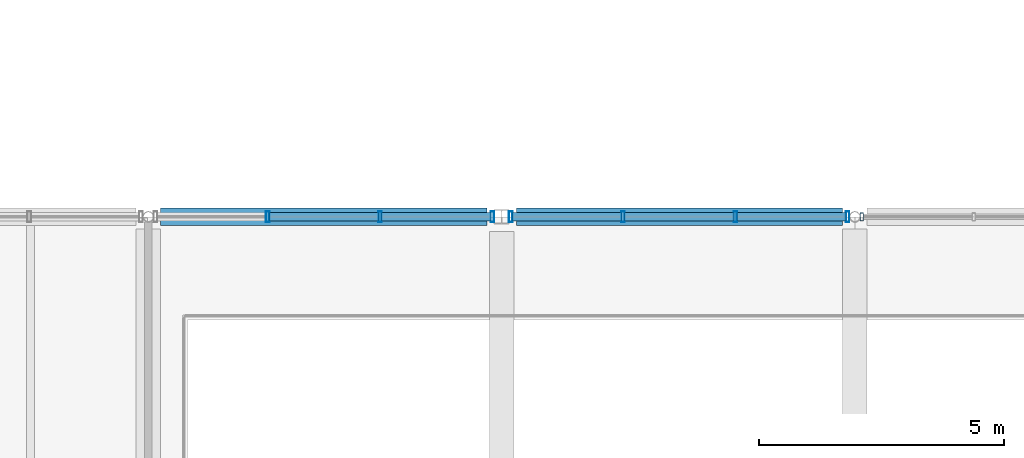
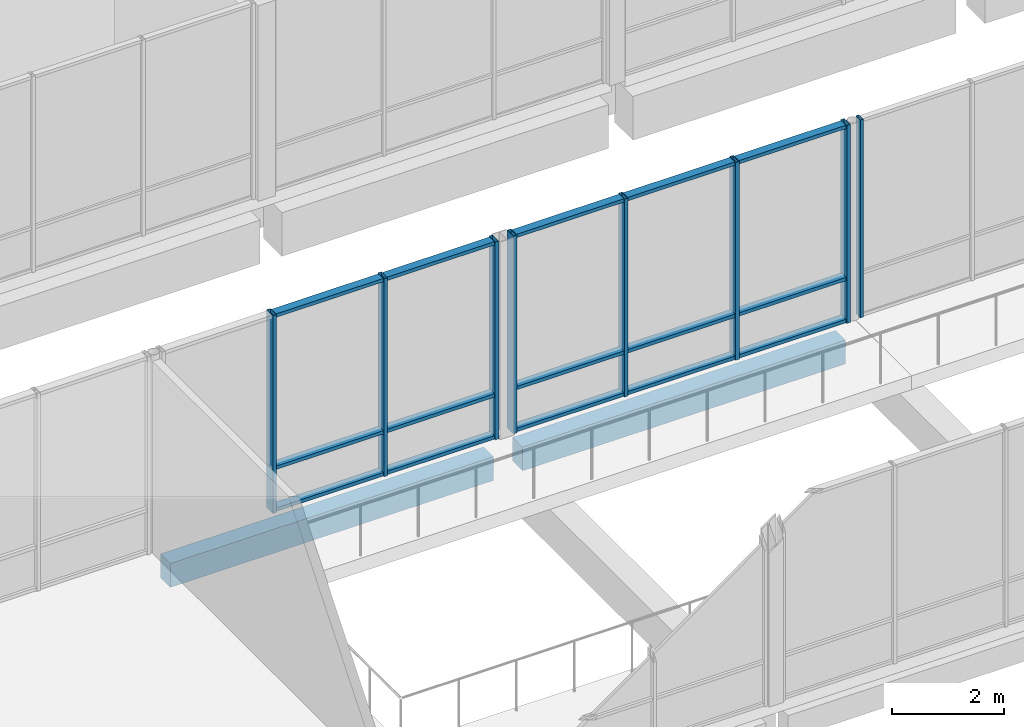
# One storey, part 45 of 146: 23 members, 2 beams, 3 elements without a shape of their own.
"""IFC4 building model written with IfcOpenShell, lengths in metres."""

import ifcopenshell
import ifcopenshell.guid

model = None  # the IFC model being written
_history = None  # IfcOwnerHistory: only IFC2X3 demands one
_inside = {}  # id of a spatial element -> (the spatial element, [elements in it])
_under = {}  # id of a project, library or spatial element -> (it, [spatial elements below it])
_declared = {}  # id of a project -> (the project, [libraries it declares])
_typed = {}  # id of a type object -> (the type object, [elements of that type])
_made_of = {}  # id of a material, layer set ... -> (it, [elements and type objects made of it])


def new_model(schema):
    """Start an empty IFC model of exactly this schema.

    Asked for "IFC4X3", IfcOpenShell would pick the latest addendum, in which some entities
    have other attributes; the version numbers below select the first issue.
    IFC2X3 requires an IfcOwnerHistory on every rooted entity: one is made here for all.
    """
    global model, _history
    if schema == "IFC4X3":
        model = ifcopenshell.file(schema_version=(4, 3, 0, 0))
    else:
        model = ifcopenshell.file(schema=schema)
    _inside.clear()
    _under.clear()
    _declared.clear()
    _typed.clear()
    _made_of.clear()
    _history = None
    if model.schema == "IFC2X3":
        org = make("IfcOrganization", Name="unknown")
        user = make(
            "IfcPersonAndOrganization",
            ThePerson=make("IfcPerson", FamilyName="unknown"),
            TheOrganization=org,
        )
        app = make(
            "IfcApplication",
            ApplicationDeveloper=org,
            Version="unknown",
            ApplicationFullName="unknown",
            ApplicationIdentifier="unknown",
        )
        _history = make(
            "IfcOwnerHistory",
            OwningUser=user,
            OwningApplication=app,
            ChangeAction="ADDED",
            CreationDate=0,
        )
    return model


def make(cls, **values):
    """One entity of the class cls with the attributes given. An attribute that is None is left unset."""
    return model.create_entity(
        cls, **{name: value for name, value in values.items() if value is not None}
    )


def rooted(cls, **values):
    """An entity with a GlobalId (a new one), such as an element, a storey or a relation."""
    return make(cls, GlobalId=ifcopenshell.guid.new(), OwnerHistory=_history, **values)


def si_unit(unit_type, name, prefix=None):
    """IfcSIUnit, for example si_unit("LENGTHUNIT", "METRE", prefix="MILLI")."""
    return make("IfcSIUnit", UnitType=unit_type, Prefix=prefix, Name=name)


def assignment(units):
    """IfcUnitAssignment: the units of a project."""
    return None if units is None else make("IfcUnitAssignment", Units=units)


def point(xyz):
    """IfcCartesianPoint."""
    return None if xyz is None else make("IfcCartesianPoint", Coordinates=xyz)


def direction(xyz):
    """IfcDirection."""
    return None if xyz is None else make("IfcDirection", DirectionRatios=xyz)


def frame(location, z_axis=None, x_axis=None):
    """IfcAxis2Placement3D, a coordinate frame: its origin and axes. An axis left out is left unset."""
    return make(
        "IfcAxis2Placement3D",
        Location=point(location),
        Axis=direction(z_axis),
        RefDirection=direction(x_axis),
    )


def frame_2d(location, x_axis=None):
    """IfcAxis2Placement2D, a coordinate frame in the plane: its origin and x axis."""
    return make(
        "IfcAxis2Placement2D", Location=point(location), RefDirection=direction(x_axis)
    )


def origin():
    """The frame at (0, 0, 0) with its axes left unset."""
    return frame((0.0, 0.0, 0.0))


def origin_2d():
    """The frame at (0, 0) in the plane with its x axis left unset."""
    return frame_2d((0.0, 0.0))


def place(relative_to, where):
    """IfcLocalPlacement: puts the frame where relative to a parent placement (None: the world)."""
    return make(
        "IfcLocalPlacement", PlacementRelTo=relative_to, RelativePlacement=where
    )


def context(
    kind, dimensions, precision=None, world=None, true_north=None, identifier=None
):
    """IfcGeometricRepresentationContext, for example the 3D "Model" context."""
    return make(
        "IfcGeometricRepresentationContext",
        ContextIdentifier=identifier,
        ContextType=kind,
        CoordinateSpaceDimension=dimensions,
        Precision=precision,
        WorldCoordinateSystem=world,
        TrueNorth=true_north,
    )


def subcontext(parent, identifier, kind, view, scale=None):
    """IfcGeometricRepresentationSubContext, for example "Body" below "Model"."""
    return make(
        "IfcGeometricRepresentationSubContext",
        ContextIdentifier=identifier,
        ContextType=kind,
        ParentContext=parent,
        TargetScale=scale,
        TargetView=view,
    )


def project(units=None, contexts=None):
    """IfcProject with its units and contexts."""
    return rooted(
        "IfcProject",
        Name="project",
        RepresentationContexts=contexts,
        UnitsInContext=assignment(units),
    )


def spatial(cls, under=None, at=None, **own):
    """A site, building, storey or space (cls), placed at a placement, below another one or the project."""
    s = rooted(cls, ObjectPlacement=at, **own)
    if under is not None:
        _under.setdefault(under.id(), (under, []))[1].append(s)
    return s


def profile(cls, at=None, kind="AREA", **sizes):
    """A parametric profile (cls). Its sizes go by their IFC names, for example OverallWidth=200.0."""
    return make(cls, ProfileType=kind, Position=at, **sizes)


def rectangle(**sizes):
    """IfcRectangleProfileDef."""
    return profile("IfcRectangleProfileDef", **sizes)


def hollow_rectangle(**sizes):
    """IfcRectangleHollowProfileDef."""
    return profile("IfcRectangleHollowProfileDef", **sizes)


def extrude(swept, where, along, depth):
    """IfcExtrudedAreaSolid: the profile swept, set in the frame where, extruded along a direction by depth."""
    return make(
        "IfcExtrudedAreaSolid",
        SweptArea=swept,
        Position=where,
        ExtrudedDirection=direction(along),
        Depth=depth,
    )


def shape(context_of_items, identifier, shape_type, items):
    """IfcShapeRepresentation: the items that make up one representation, for example the "Body"."""
    return make(
        "IfcShapeRepresentation",
        ContextOfItems=context_of_items,
        RepresentationIdentifier=identifier,
        RepresentationType=shape_type,
        Items=items,
    )


def material(Name=None, Category=None):
    """IfcMaterial."""
    return make("IfcMaterial", Name=Name, Category=Category)


def material_profile(
    of_material, cross_section, Name=None, Category=None, Priority=None
):
    """IfcMaterialProfile: a cross section and its material."""
    return make(
        "IfcMaterialProfile",
        Name=Name,
        Material=of_material,
        Profile=cross_section,
        Priority=Priority,
        Category=Category,
    )


def profile_set(profiles, Name=None, composite=None):
    """IfcMaterialProfileSet."""
    return make(
        "IfcMaterialProfileSet",
        Name=Name,
        MaterialProfiles=profiles,
        CompositeProfile=composite,
    )


def made_of(thing, what):
    """Note that an element or type object is made of a material, layer set ...; save() writes the relation."""
    if what is not None:
        _made_of.setdefault(what.id(), (what, []))[1].append(thing)
    return thing


def type_object(cls, material=None, **own):
    """A type object (cls), such as IfcWallType, which elements share."""
    return made_of(rooted(cls, **own), material)


def element(
    cls,
    number,
    at=None,
    inside=None,
    cuts=None,
    type_object=None,
    material=None,
    context=None,
    identifier="Body",
    shape_type=None,
    held_by="IfcProductDefinitionShape",
    body=None,
    shapes=None,
    **own,
):
    """One element of the class cls, such as IfcWall. Its Tag is "e" and its number.

    at: its placement. inside: the storey or other place that contains it. cuts: it is an
    opening in that element (IfcRelVoidsElement). A single representation is given by context,
    identifier, shape_type and body (its items); several are given by shapes. held_by: the class
    of the entity that holds the representations. save() writes the other relations.
    """
    e = rooted(cls, Tag="e%d" % number, ObjectPlacement=at, **own)
    if body is not None:
        shapes = [shape(context, identifier, shape_type, body)]
    if shapes is not None:
        e.Representation = make(held_by, Representations=shapes)
    if inside is not None:
        _inside.setdefault(inside.id(), (inside, []))[1].append(e)
    if cuts is not None:
        rooted(
            "IfcRelVoidsElement", RelatingBuildingElement=cuts, RelatedOpeningElement=e
        )
    if type_object is not None:
        _typed.setdefault(type_object.id(), (type_object, []))[1].append(e)
    return made_of(e, material)


def aggregate(whole, parts):
    """IfcRelAggregates: a whole, such as a stair, and the parts it consists of."""
    return rooted("IfcRelAggregates", RelatingObject=whole, RelatedObjects=parts)


def save(model, path):
    """Write the relations noted so far, then the file.

    IfcRelAggregates (storeys below a building ...), IfcRelContainedInSpatialStructure (elements
    in a storey), IfcRelDefinesByType, IfcRelAssociatesMaterial and IfcRelDeclares: one each for
    every whole, place, type object, material and project.
    """
    for whole, parts in _under.values():
        aggregate(whole, parts)
    for where, things in _inside.values():
        rooted(
            "IfcRelContainedInSpatialStructure",
            RelatedElements=things,
            RelatingStructure=where,
        )
    for kind, things in _typed.values():
        rooted("IfcRelDefinesByType", RelatedObjects=things, RelatingType=kind)
    for what, things in _made_of.values():
        rooted("IfcRelAssociatesMaterial", RelatedObjects=things, RelatingMaterial=what)
    for by, libraries in _declared.values():
        rooted("IfcRelDeclares", RelatingContext=by, RelatedDefinitions=libraries)
    model.write(path)


model = new_model("IFC4")

# Units and contexts
model_context = context("Model", 3, precision=1e-05, world=origin(), true_north=direction((0.0, 1.0)))
body_context = subcontext(model_context, "Body", "Model", "MODEL_VIEW")
ifc_project = project(units=[si_unit("LENGTHUNIT", "METRE"), si_unit("AREAUNIT", "SQUARE_METRE"), si_unit("VOLUMEUNIT", "CUBIC_METRE"), si_unit("PLANEANGLEUNIT", "RADIAN"), si_unit("MASSUNIT", "GRAM", prefix="KILO")], contexts=[model_context])

# Site, building, storey
site_placement = place(None, origin())
site = spatial("IfcSite", under=ifc_project, at=site_placement, CompositionType="ELEMENT")
building_placement = place(site_placement, origin())
building = spatial("IfcBuilding", under=site, at=building_placement, Name="Hawrajan Terrace Health Centre", CompositionType="ELEMENT")
storey_placement = place(building_placement, frame((0.0, 0.0, 4.5)))
storey = spatial("IfcBuildingStorey", under=building, at=storey_placement, Name="L01", CompositionType="ELEMENT", Elevation=4.5)

# Curtain wall, member
ifc_material_1 = material(Name="Anodized bronze aluminium and low-E solar glazing", Category="aluminium")
curtain_wall_type_1 = type_object("IfcCurtainWallType", Name="CW_Court_SeriesA3", PredefinedType="USERDEFINED", material=ifc_material_1)
curtain_wall_1_placement = place(storey_placement, origin())
curtain_wall_1 = element("IfcCurtainWall", 1, at=curtain_wall_1_placement, inside=storey, type_object=curtain_wall_type_1, Name="Curtain wall CW-L01-075", ObjectType="UNITISED CURTAIN WALL", PredefinedType="USERDEFINED")
ifc_material_2 = material(Name="Anodized bronze aluminium 6063-T6", Category="aluminium")
ifc_material_profile_1 = material_profile(ifc_material_2, hollow_rectangle(XDim=0.06494140625, YDim=0.159912109375, WallThickness=0.00390625, at=origin_2d()), Name="CW MUL 65x160")
ifc_profile_set_1 = profile_set([ifc_material_profile_1], Name="Anodized bronze aluminium 6063-T6")
member_type_1 = type_object("IfcMemberType", Name="CWMullion_65x160", PredefinedType="MULLION", material=ifc_profile_set_1)
member_1_placement = place(storey_placement, frame((47.94189453125, 36.800048828125, -0.0048828125), z_axis=(0.0, 0.0, 1.0), x_axis=(1.0, 0.0, 0.0)))
member_1 = element("IfcMember", 2, at=member_1_placement, type_object=member_type_1, Name="Mullion CW-L01-075-M1", PredefinedType="MULLION", context=body_context, shape_type="SweptSolid", body=[
    extrude(hollow_rectangle(XDim=0.06494140625, YDim=0.159912109375, WallThickness=0.00390625, at=origin_2d()), origin(), (0.0, 0.0, 1.0), 4.309814453125),
])
aggregate(curtain_wall_1, [member_1])

# Curtain wall, members
curtain_wall_type_2 = type_object("IfcCurtainWallType", Name="CW_Clerestory_SeriesG2", PredefinedType="USERDEFINED", material=ifc_material_1)
curtain_wall_2_placement = place(storey_placement, origin())
curtain_wall_2 = element("IfcCurtainWall", 3, at=curtain_wall_2_placement, inside=storey, type_object=curtain_wall_type_2, Name="Curtain wall CW-L01-065", ObjectType="UNITISED CURTAIN WALL", PredefinedType="USERDEFINED")
ifc_material_profile_2 = material_profile(ifc_material_2, hollow_rectangle(XDim=0.074951171875, YDim=0.219970703125, WallThickness=0.0048828125, at=origin_2d()), Name="CW MUL 75x220")
ifc_profile_set_2 = profile_set([ifc_material_profile_2], Name="Anodized bronze aluminium 6063-T6")
member_type_2 = type_object("IfcMemberType", Name="CWMullion_75x220", PredefinedType="MULLION", material=ifc_profile_set_2)
member_2_placement = place(storey_placement, frame((35.83544921875, 36.800048828125, -0.0048828125), z_axis=(0.0, 0.0, 1.0), x_axis=(1.0, 0.0, 0.0)))
member_2 = element("IfcMember", 4, at=member_2_placement, type_object=member_type_2, Name="Mullion CW-L01-065-M2", PredefinedType="MULLION", context=body_context, shape_type="SweptSolid", body=[
    extrude(hollow_rectangle(XDim=0.074951171875, YDim=0.219970703125, WallThickness=0.0048828125, at=origin_2d()), origin(), (0.0, 0.0, 1.0), 4.309814453125),
])
member_3_placement = place(storey_placement, frame((38.1240234375, 36.800048828125, -0.0048828125), z_axis=(0.0, 0.0, 1.0), x_axis=(1.0, 0.0, 0.0)))
member_3 = element("IfcMember", 5, at=member_3_placement, type_object=member_type_2, Name="Mullion CW-L01-065-M3", PredefinedType="MULLION", context=body_context, shape_type="SweptSolid", body=[
    extrude(hollow_rectangle(XDim=0.074951171875, YDim=0.219970703125, WallThickness=0.0048828125, at=origin_2d()), origin(), (0.0, 0.0, 1.0), 4.309814453125),
])
member_4_placement = place(storey_placement, frame((40.41259765625, 36.800048828125, -0.0048828125), z_axis=(0.0, 0.0, 1.0), x_axis=(1.0, 0.0, 0.0)))
member_4 = element("IfcMember", 6, at=member_4_placement, type_object=member_type_2, Name="Mullion CW-L01-065-M4", PredefinedType="MULLION", context=body_context, shape_type="SweptSolid", body=[
    extrude(hollow_rectangle(XDim=0.074951171875, YDim=0.219970703125, WallThickness=0.0048828125, at=origin_2d()), origin(), (0.0, 0.0, 1.0), 4.309814453125),
])

curtain_wall_type_3 = type_object("IfcCurtainWallType", Name="CW_Diagnostic_SeriesM1", PredefinedType="USERDEFINED", material=ifc_material_1)
curtain_wall_3_placement = place(storey_placement, origin())
curtain_wall_3 = element("IfcCurtainWall", 7, at=curtain_wall_3_placement, inside=storey, type_object=curtain_wall_type_3, Name="Curtain wall CW-L01-071", ObjectType="UNITISED CURTAIN WALL", PredefinedType="USERDEFINED")
member_5_placement = place(storey_placement, frame((40.78759765625, 36.800048828125, -0.0048828125), z_axis=(0.0, 0.0, 1.0), x_axis=(1.0, 0.0, 0.0)))
member_5 = element("IfcMember", 8, at=member_5_placement, type_object=member_type_2, Name="Mullion CW-L01-071-M1", PredefinedType="MULLION", context=body_context, shape_type="SweptSolid", body=[
    extrude(hollow_rectangle(XDim=0.074951171875, YDim=0.219970703125, WallThickness=0.0048828125, at=origin_2d()), origin(), (0.0, 0.0, 1.0), 4.309814453125),
])
member_6_placement = place(storey_placement, frame((43.075927734375, 36.800048828125, -0.0048828125), z_axis=(0.0, 0.0, 1.0), x_axis=(1.0, 0.0, 0.0)))
member_6 = element("IfcMember", 9, at=member_6_placement, type_object=member_type_2, Name="Mullion CW-L01-071-M2", PredefinedType="MULLION", context=body_context, shape_type="SweptSolid", body=[
    extrude(hollow_rectangle(XDim=0.074951171875, YDim=0.219970703125, WallThickness=0.0048828125, at=origin_2d()), origin(), (0.0, 0.0, 1.0), 4.309814453125),
])
member_7_placement = place(storey_placement, frame((45.364501953125, 36.800048828125, -0.0048828125), z_axis=(0.0, 0.0, 1.0), x_axis=(1.0, 0.0, 0.0)))
member_7 = element("IfcMember", 10, at=member_7_placement, type_object=member_type_2, Name="Mullion CW-L01-071-M3", PredefinedType="MULLION", context=body_context, shape_type="SweptSolid", body=[
    extrude(hollow_rectangle(XDim=0.074951171875, YDim=0.219970703125, WallThickness=0.0048828125, at=origin_2d()), origin(), (0.0, 0.0, 1.0), 4.309814453125),
])
member_8_placement = place(storey_placement, frame((47.65283203125, 36.800048828125, -0.0048828125), z_axis=(0.0, 0.0, 1.0), x_axis=(1.0, 0.0, 0.0)))
member_8 = element("IfcMember", 11, at=member_8_placement, type_object=member_type_2, Name="Mullion CW-L01-071-M4", PredefinedType="MULLION", context=body_context, shape_type="SweptSolid", body=[
    extrude(hollow_rectangle(XDim=0.074951171875, YDim=0.219970703125, WallThickness=0.0048828125, at=origin_2d()), origin(), (0.0, 0.0, 1.0), 4.309814453125),
])

# Member
ifc_material_profile_3 = material_profile(ifc_material_2, hollow_rectangle(XDim=0.074951171875, YDim=0.169921875, WallThickness=0.00439453125, at=origin_2d()), Name="CW TRN 75x170")
ifc_profile_set_3 = profile_set([ifc_material_profile_3], Name="Anodized bronze aluminium 6063-T6")
member_type_3 = type_object("IfcMemberType", Name="CWTransom_75x170", PredefinedType="USERDEFINED", material=ifc_profile_set_3)
member_9_placement = place(storey_placement, frame((35.866943359375, 36.800048828125, 0.03759765625), z_axis=(1.0, 0.0, 0.0), x_axis=(0.0, 0.0, 1.0)))
member_9 = element("IfcMember", 12, at=member_9_placement, type_object=member_type_3, Name="Transom CW-L01-065-T2-1", ObjectType="TRANSOM", PredefinedType="USERDEFINED", context=body_context, shape_type="SweptSolid", body=[
    extrude(hollow_rectangle(XDim=0.074951171875, YDim=0.169921875, WallThickness=0.00439453125, at=origin_2d()), origin(), (0.0, 0.0, 1.0), 2.2255859375),
])

member_10_placement = place(storey_placement, frame((35.866943359375, 36.800048828125, 0.949951171875), z_axis=(1.0, 0.0, 0.0), x_axis=(0.0, 0.0, 1.0)))
member_10 = element("IfcMember", 13, at=member_10_placement, type_object=member_type_3, Name="Transom CW-L01-065-T2-2", ObjectType="TRANSOM", PredefinedType="USERDEFINED", context=body_context, shape_type="SweptSolid", body=[
    extrude(hollow_rectangle(XDim=0.074951171875, YDim=0.169921875, WallThickness=0.00439453125, at=origin_2d()), origin(), (0.0, 0.0, 1.0), 2.2255859375),
])

member_11_placement = place(storey_placement, frame((35.866943359375, 36.800048828125, 4.262451171875), z_axis=(1.0, 0.0, 0.0), x_axis=(0.0, 0.0, 1.0)))
member_11 = element("IfcMember", 14, at=member_11_placement, type_object=member_type_3, Name="Transom CW-L01-065-T2-3", ObjectType="TRANSOM", PredefinedType="USERDEFINED", context=body_context, shape_type="SweptSolid", body=[
    extrude(hollow_rectangle(XDim=0.074951171875, YDim=0.169921875, WallThickness=0.00439453125, at=origin_2d()), origin(), (0.0, 0.0, 1.0), 2.2255859375),
])

member_12_placement = place(storey_placement, frame((38.155517578125, 36.800048828125, 0.03759765625), z_axis=(1.0, 0.0, 0.0), x_axis=(0.0, 0.0, 1.0)))
member_12 = element("IfcMember", 15, at=member_12_placement, type_object=member_type_3, Name="Transom CW-L01-065-T3-1", ObjectType="TRANSOM", PredefinedType="USERDEFINED", context=body_context, shape_type="SweptSolid", body=[
    extrude(hollow_rectangle(XDim=0.074951171875, YDim=0.169921875, WallThickness=0.00439453125, at=origin_2d()), origin(), (0.0, 0.0, 1.0), 2.2255859375),
])

member_13_placement = place(storey_placement, frame((38.155517578125, 36.800048828125, 0.949951171875), z_axis=(1.0, 0.0, 0.0), x_axis=(0.0, 0.0, 1.0)))
member_13 = element("IfcMember", 16, at=member_13_placement, type_object=member_type_3, Name="Transom CW-L01-065-T3-2", ObjectType="TRANSOM", PredefinedType="USERDEFINED", context=body_context, shape_type="SweptSolid", body=[
    extrude(hollow_rectangle(XDim=0.074951171875, YDim=0.169921875, WallThickness=0.00439453125, at=origin_2d()), origin(), (0.0, 0.0, 1.0), 2.2255859375),
])

member_14_placement = place(storey_placement, frame((38.155517578125, 36.800048828125, 4.262451171875), z_axis=(1.0, 0.0, 0.0), x_axis=(0.0, 0.0, 1.0)))
member_14 = element("IfcMember", 17, at=member_14_placement, type_object=member_type_3, Name="Transom CW-L01-065-T3-3", ObjectType="TRANSOM", PredefinedType="USERDEFINED", context=body_context, shape_type="SweptSolid", body=[
    extrude(hollow_rectangle(XDim=0.074951171875, YDim=0.169921875, WallThickness=0.00439453125, at=origin_2d()), origin(), (0.0, 0.0, 1.0), 2.2255859375),
])

aggregate(curtain_wall_2, [member_2, member_3, member_4, member_9, member_10, member_11, member_12, member_13, member_14])

member_15_placement = place(storey_placement, frame((40.819091796875, 36.800048828125, 0.03759765625), z_axis=(1.0, 0.0, 0.0), x_axis=(0.0, 0.0, 1.0)))
member_15 = element("IfcMember", 18, at=member_15_placement, type_object=member_type_3, Name="Transom CW-L01-071-T1-1", ObjectType="TRANSOM", PredefinedType="USERDEFINED", context=body_context, shape_type="SweptSolid", body=[
    extrude(hollow_rectangle(XDim=0.074951171875, YDim=0.169921875, WallThickness=0.00439453125, at=origin_2d()), origin(), (0.0, 0.0, 1.0), 2.225341796875),
])

member_16_placement = place(storey_placement, frame((40.819091796875, 36.800048828125, 0.949951171875), z_axis=(1.0, 0.0, 0.0), x_axis=(0.0, 0.0, 1.0)))
member_16 = element("IfcMember", 19, at=member_16_placement, type_object=member_type_3, Name="Transom CW-L01-071-T1-2", ObjectType="TRANSOM", PredefinedType="USERDEFINED", context=body_context, shape_type="SweptSolid", body=[
    extrude(hollow_rectangle(XDim=0.074951171875, YDim=0.169921875, WallThickness=0.00439453125, at=origin_2d()), origin(), (0.0, 0.0, 1.0), 2.225341796875),
])

member_17_placement = place(storey_placement, frame((40.819091796875, 36.800048828125, 4.262451171875), z_axis=(1.0, 0.0, 0.0), x_axis=(0.0, 0.0, 1.0)))
member_17 = element("IfcMember", 20, at=member_17_placement, type_object=member_type_3, Name="Transom CW-L01-071-T1-3", ObjectType="TRANSOM", PredefinedType="USERDEFINED", context=body_context, shape_type="SweptSolid", body=[
    extrude(hollow_rectangle(XDim=0.074951171875, YDim=0.169921875, WallThickness=0.00439453125, at=origin_2d()), origin(), (0.0, 0.0, 1.0), 2.225341796875),
])

member_18_placement = place(storey_placement, frame((43.107421875, 36.800048828125, 0.03759765625), z_axis=(1.0, 0.0, 0.0), x_axis=(0.0, 0.0, 1.0)))
member_18 = element("IfcMember", 21, at=member_18_placement, type_object=member_type_3, Name="Transom CW-L01-071-T2-1", ObjectType="TRANSOM", PredefinedType="USERDEFINED", context=body_context, shape_type="SweptSolid", body=[
    extrude(hollow_rectangle(XDim=0.074951171875, YDim=0.169921875, WallThickness=0.00439453125, at=origin_2d()), origin(), (0.0, 0.0, 1.0), 2.2255859375),
])

member_19_placement = place(storey_placement, frame((43.107421875, 36.800048828125, 0.949951171875), z_axis=(1.0, 0.0, 0.0), x_axis=(0.0, 0.0, 1.0)))
member_19 = element("IfcMember", 22, at=member_19_placement, type_object=member_type_3, Name="Transom CW-L01-071-T2-2", ObjectType="TRANSOM", PredefinedType="USERDEFINED", context=body_context, shape_type="SweptSolid", body=[
    extrude(hollow_rectangle(XDim=0.074951171875, YDim=0.169921875, WallThickness=0.00439453125, at=origin_2d()), origin(), (0.0, 0.0, 1.0), 2.2255859375),
])

member_20_placement = place(storey_placement, frame((43.107421875, 36.800048828125, 4.262451171875), z_axis=(1.0, 0.0, 0.0), x_axis=(0.0, 0.0, 1.0)))
member_20 = element("IfcMember", 23, at=member_20_placement, type_object=member_type_3, Name="Transom CW-L01-071-T2-3", ObjectType="TRANSOM", PredefinedType="USERDEFINED", context=body_context, shape_type="SweptSolid", body=[
    extrude(hollow_rectangle(XDim=0.074951171875, YDim=0.169921875, WallThickness=0.00439453125, at=origin_2d()), origin(), (0.0, 0.0, 1.0), 2.2255859375),
])

member_21_placement = place(storey_placement, frame((45.39599609375, 36.800048828125, 0.03759765625), z_axis=(1.0, 0.0, 0.0), x_axis=(0.0, 0.0, 1.0)))
member_21 = element("IfcMember", 24, at=member_21_placement, type_object=member_type_3, Name="Transom CW-L01-071-T3-1", ObjectType="TRANSOM", PredefinedType="USERDEFINED", context=body_context, shape_type="SweptSolid", body=[
    extrude(hollow_rectangle(XDim=0.074951171875, YDim=0.169921875, WallThickness=0.00439453125, at=origin_2d()), origin(), (0.0, 0.0, 1.0), 2.225341796875),
])

member_22_placement = place(storey_placement, frame((45.39599609375, 36.800048828125, 0.949951171875), z_axis=(1.0, 0.0, 0.0), x_axis=(0.0, 0.0, 1.0)))
member_22 = element("IfcMember", 25, at=member_22_placement, type_object=member_type_3, Name="Transom CW-L01-071-T3-2", ObjectType="TRANSOM", PredefinedType="USERDEFINED", context=body_context, shape_type="SweptSolid", body=[
    extrude(hollow_rectangle(XDim=0.074951171875, YDim=0.169921875, WallThickness=0.00439453125, at=origin_2d()), origin(), (0.0, 0.0, 1.0), 2.225341796875),
])

member_23_placement = place(storey_placement, frame((45.39599609375, 36.800048828125, 4.262451171875), z_axis=(1.0, 0.0, 0.0), x_axis=(0.0, 0.0, 1.0)))
member_23 = element("IfcMember", 26, at=member_23_placement, type_object=member_type_3, Name="Transom CW-L01-071-T3-3", ObjectType="TRANSOM", PredefinedType="USERDEFINED", context=body_context, shape_type="SweptSolid", body=[
    extrude(hollow_rectangle(XDim=0.074951171875, YDim=0.169921875, WallThickness=0.00439453125, at=origin_2d()), origin(), (0.0, 0.0, 1.0), 2.225341796875),
])

aggregate(curtain_wall_3, [member_5, member_6, member_7, member_8, member_15, member_16, member_17, member_18, member_19, member_20, member_21, member_22, member_23])

# Beams
ifc_material_3 = material(Name="Concrete C40/50", Category="concrete")
ifc_material_profile_4 = material_profile(ifc_material_3, rectangle(XDim=0.35009765625, YDim=0.52001953125, at=origin_2d()), Name="RC SP 350x520")
ifc_profile_set_4 = profile_set([ifc_material_profile_4], Name="Concrete C40/50")
beam_type = type_object("IfcBeamType", Name="RCSpandrel_350x520", PredefinedType="SPANDREL", material=ifc_profile_set_4)
for number, where, z_axis, x_axis, name in (
    (27, (33.64990234375, 36.800048828125, -0.56005859375), (1.0, 0.0, 0.0), (0.0, 1.0, 0.0), "Beam BM-X-L01-W-05-Y5"),
    (28, (40.89990234375, 36.800048828125, -0.56005859375), (1.0, 0.0, 0.0), (0.0, 1.0, 0.0), "Beam BM-X-L01-W-06-Y5"),
):
    element("IfcBeam", number, at=place(storey_placement, frame(where, z_axis=z_axis, x_axis=x_axis)), inside=storey, type_object=beam_type, Name=name, PredefinedType="SPANDREL", context=body_context, shape_type="SweptSolid", body=[
        extrude(rectangle(XDim=0.35009765625, YDim=0.52001953125, at=origin_2d()), origin(), (0.0, 0.0, 1.0), 6.650146484375),
    ])

save(model, "model.ifc")
